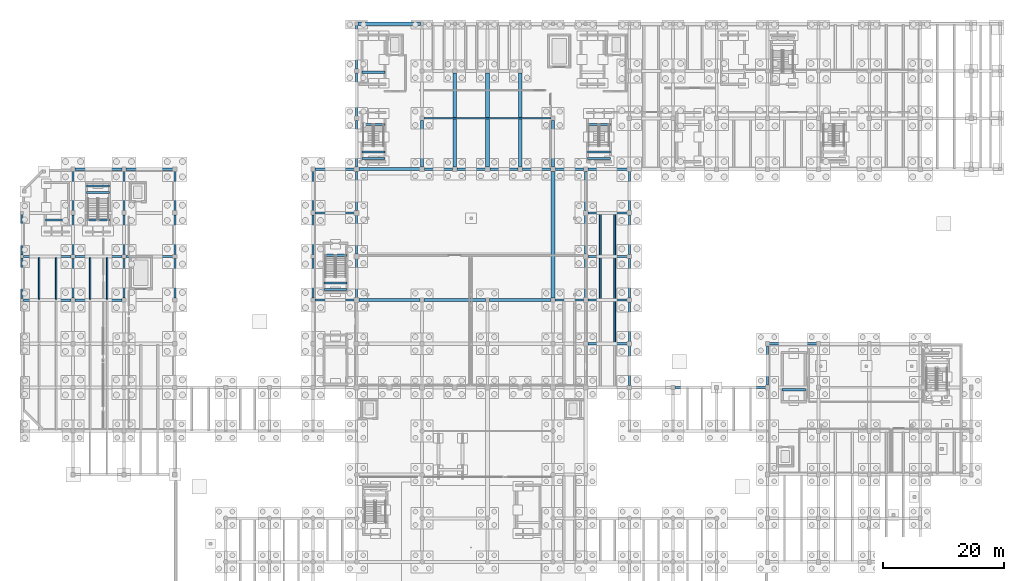
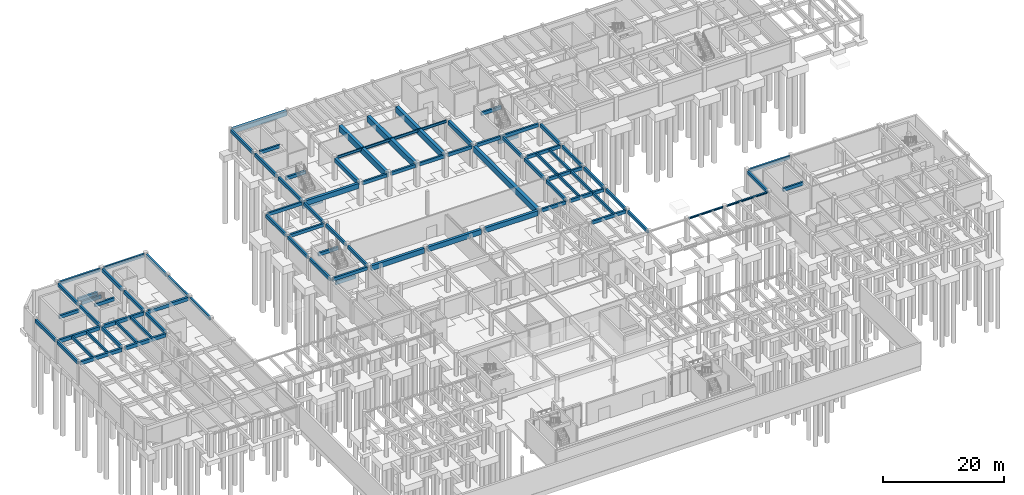
# One storey, part 21 of 46: 89 beams.
"""IFC4 building model written with IfcOpenShell, lengths in metres."""

from ifc_helpers import new_model, si_unit, direction, frame, origin, origin_2d, place, context, subcontext, project, spatial, rectangle, i_section, extrude, material, material_profile, profile_set, type_object, element, save


model = new_model("IFC4")

# Units and contexts
model_context = context("Model", 3, precision=1e-05, world=origin(), true_north=direction((0.0, 1.0)))
body_context = subcontext(model_context, "Body", "Model", "MODEL_VIEW")
ifc_project = project(units=[si_unit("LENGTHUNIT", "METRE"), si_unit("AREAUNIT", "SQUARE_METRE"), si_unit("VOLUMEUNIT", "CUBIC_METRE"), si_unit("PLANEANGLEUNIT", "RADIAN"), si_unit("MASSUNIT", "GRAM", prefix="KILO")], contexts=[model_context])

# Site, building, storey
site_placement = place(None, origin())
site = spatial("IfcSite", under=ifc_project, at=site_placement, CompositionType="ELEMENT")
building_placement = place(site_placement, origin())
building = spatial("IfcBuilding", under=site, at=building_placement, Name="Tazoul Stagehouse", CompositionType="ELEMENT")
storey_placement = place(building_placement, frame((0.0, 0.0, -4.800048828125)))
storey = spatial("IfcBuildingStorey", under=building, at=storey_placement, Name="B1", CompositionType="ELEMENT", Elevation=-4.800048828125)

# Beams
ifc_material_1 = material(Name="Concrete C40/50", Category="concrete")
ifc_material_profile_1 = material_profile(ifc_material_1, rectangle(XDim=0.60009765625, YDim=1.199951171875, at=origin_2d()), Name="RC 600x1200")
ifc_profile_set_1 = profile_set([ifc_material_profile_1], Name="Concrete C40/50")
beam_type_1 = type_object("IfcBeamType", Name="RC Long-Span Girder 600x1200", PredefinedType="BEAM", material=ifc_profile_set_1)
for number, where, z_axis, x_axis, name in (
    (1, (73.800048828125, 88.175048828125, 3.8779296875), (0.0, 1.0, 0.0), (-1.0, 0.0, 0.0), "B1 Beam BM-05 11/N-Q"),
    (2, (79.199951171875, 88.175048828125, 3.8779296875), (0.0, 1.0, 0.0), (-1.0, 0.0, 0.0), "B1 Beam BM-05 12/N-Q"),
    (3, (84.60009765625, 88.175048828125, 3.8779296875), (0.0, 1.0, 0.0), (-1.0, 0.0, 0.0), "B1 Beam BM-05 13/N-Q"),
):
    element("IfcBeam", number, at=place(storey_placement, frame(where, z_axis=z_axis, x_axis=x_axis)), inside=storey, type_object=beam_type_1, Name=name, PredefinedType="BEAM", context=body_context, shape_type="SweptSolid", body=[
        extrude(rectangle(XDim=0.60009765625, YDim=1.199951171875, at=origin_2d()), origin(), (0.0, 0.0, 1.0), 15.5),
    ])
beam_1_placement = place(storey_placement, frame((90.0, 66.52490234375, 3.8779296875), z_axis=(0.0, 1.0, 0.0), x_axis=(-1.0, 0.0, 0.0)))
element("IfcBeam", 4, at=beam_1_placement, inside=storey, type_object=beam_type_1, Name="B1 Beam BM-05 14/K-N", PredefinedType="BEAM", context=body_context, shape_type="SweptSolid", body=[
    extrude(rectangle(XDim=0.60009765625, YDim=1.199951171875, at=origin_2d()), origin(), (0.0, 0.0, 1.0), 20.900146484375),
])
ifc_material_profile_2 = material_profile(ifc_material_1, rectangle(XDim=0.35009765625, YDim=0.64990234375, at=origin_2d()), Name="RC 350x650")
ifc_profile_set_2 = profile_set([ifc_material_profile_2], Name="Concrete C40/50")
beam_type_2 = type_object("IfcBeamType", Name="RC Perimeter Spandrel 350x650 (Exterior)", PredefinedType="SPANDREL", material=ifc_profile_set_2)
beam_2_placement = place(storey_placement, frame((125.675048828125, 59.0, 4.193115234375), z_axis=(1.0, 0.0, 0.0), x_axis=(0.0, 1.0, 0.0)))
element("IfcBeam", 5, at=beam_2_placement, inside=storey, type_object=beam_type_2, Name="B1 Beam SP-01E J/19-20", PredefinedType="SPANDREL", context=body_context, shape_type="SweptSolid", body=[
    extrude(rectangle(XDim=0.35009765625, YDim=0.64990234375, at=origin_2d()), origin(), (0.0, 0.0, 1.0), 7.849853515625),
])
for number, where, z_axis, x_axis, name in (
    (6, (11.125, 87.800048828125, 4.213134765625), (1.0, 0.0, 0.0), (0.0, 1.0, 0.0), "B1 Beam SP-01E N/2-3"),
    (7, (19.52490234375, 87.800048828125, 4.213134765625), (1.0, 0.0, 0.0), (0.0, 1.0, 0.0), "B1 Beam SP-01E N/3-4"),
):
    element("IfcBeam", number, at=place(storey_placement, frame(where, z_axis=z_axis, x_axis=x_axis)), inside=storey, type_object=beam_type_2, Name=name, PredefinedType="SPANDREL", context=body_context, shape_type="SweptSolid", body=[
        extrude(rectangle(XDim=0.35009765625, YDim=0.64990234375, at=origin_2d()), origin(), (0.0, 0.0, 1.0), 7.75),
    ])
beam_3_placement = place(storey_placement, frame((50.72509765625, 87.800048828125, 4.153076171875), z_axis=(1.0, 0.0, 0.0), x_axis=(0.0, 1.0, 0.0)))
element("IfcBeam", 8, at=beam_3_placement, inside=storey, type_object=beam_type_2, Name="B1 Beam SP-01E N/7-8", PredefinedType="SPANDREL", context=body_context, shape_type="SweptSolid", body=[
    extrude(rectangle(XDim=0.35009765625, YDim=0.64990234375, at=origin_2d()), origin(), (0.0, 0.0, 1.0), 6.5),
])
for number, where, z_axis, x_axis, name in (
    (9, (2.39990234375, 66.425048828125, 4.213134765625), (0.0, 1.0, 0.0), (-1.0, 0.0, 0.0), "B1 Beam SP-01E 1/K-L"),
    (10, (2.39990234375, 73.625, 4.213134765625), (0.0, 1.0, 0.0), (-1.0, 0.0, 0.0), "B1 Beam SP-01E 1/L-M"),
):
    element("IfcBeam", number, at=place(storey_placement, frame(where, z_axis=z_axis, x_axis=x_axis)), inside=storey, type_object=beam_type_2, Name=name, PredefinedType="SPANDREL", context=body_context, shape_type="SweptSolid", body=[
        extrude(rectangle(XDim=0.35009765625, YDim=0.64990234375, at=origin_2d()), origin(), (0.0, 0.0, 1.0), 6.75),
    ])
beam_4_placement = place(storey_placement, frame((27.60009765625, 66.52490234375, 4.213134765625), z_axis=(0.0, 1.0, 0.0), x_axis=(-1.0, 0.0, 0.0)))
element("IfcBeam", 11, at=beam_4_placement, inside=storey, type_object=beam_type_2, Name="B1 Beam SP-01E 4/K-L", PredefinedType="SPANDREL", context=body_context, shape_type="SweptSolid", body=[
    extrude(rectangle(XDim=0.35009765625, YDim=0.64990234375, at=origin_2d()), origin(), (0.0, 0.0, 1.0), 6.550048828125),
])
beam_5_placement = place(storey_placement, frame((27.60009765625, 73.72509765625, 4.213134765625), z_axis=(0.0, 1.0, 0.0), x_axis=(-1.0, 0.0, 0.0)))
element("IfcBeam", 12, at=beam_5_placement, inside=storey, type_object=beam_type_2, Name="B1 Beam SP-01E 4/L-M", PredefinedType="SPANDREL", context=body_context, shape_type="SweptSolid", body=[
    extrude(rectangle(XDim=0.35009765625, YDim=0.64990234375, at=origin_2d()), origin(), (0.0, 0.0, 1.0), 6.5498046875),
])
for number, where, z_axis, x_axis, name in (
    (13, (27.60009765625, 80.925048828125, 4.213134765625), (0.0, 1.0, 0.0), (-1.0, 0.0, 0.0), "B1 Beam SP-01E 4/M-N"),
    (14, (50.39990234375, 66.52490234375, 4.193115234375), (0.0, 1.0, 0.0), (-1.0, 0.0, 0.0), "B1 Beam SP-01E 7/K-L"),
):
    element("IfcBeam", number, at=place(storey_placement, frame(where, z_axis=z_axis, x_axis=x_axis)), inside=storey, type_object=beam_type_2, Name=name, PredefinedType="SPANDREL", context=body_context, shape_type="SweptSolid", body=[
        extrude(rectangle(XDim=0.35009765625, YDim=0.64990234375, at=origin_2d()), origin(), (0.0, 0.0, 1.0), 6.550048828125),
    ])
beam_6_placement = place(storey_placement, frame((50.39990234375, 73.72509765625, 4.193115234375), z_axis=(0.0, 1.0, 0.0), x_axis=(-1.0, 0.0, 0.0)))
element("IfcBeam", 15, at=beam_6_placement, inside=storey, type_object=beam_type_2, Name="B1 Beam SP-01E 7/L-M", PredefinedType="SPANDREL", context=body_context, shape_type="SweptSolid", body=[
    extrude(rectangle(XDim=0.35009765625, YDim=0.64990234375, at=origin_2d()), origin(), (0.0, 0.0, 1.0), 6.5498046875),
])
beam_7_placement = place(storey_placement, frame((50.39990234375, 80.925048828125, 4.193115234375), z_axis=(0.0, 1.0, 0.0), x_axis=(-1.0, 0.0, 0.0)))
element("IfcBeam", 16, at=beam_7_placement, inside=storey, type_object=beam_type_2, Name="B1 Beam SP-01E 7/M-N", PredefinedType="SPANDREL", context=body_context, shape_type="SweptSolid", body=[
    extrude(rectangle(XDim=0.35009765625, YDim=0.64990234375, at=origin_2d()), origin(), (0.0, 0.0, 1.0), 6.550048828125),
])
beam_8_placement = place(storey_placement, frame((57.60009765625, 88.175048828125, 4.153076171875), z_axis=(0.0, 1.0, 0.0), x_axis=(-1.0, 0.0, 0.0)))
element("IfcBeam", 17, at=beam_8_placement, inside=storey, type_object=beam_type_2, Name="B1 Beam SP-01E 8/N-P", PredefinedType="SPANDREL", context=body_context, shape_type="SweptSolid", body=[
    extrude(rectangle(XDim=0.35009765625, YDim=0.64990234375, at=origin_2d()), origin(), (0.0, 0.0, 1.0), 7.699951171875),
])
beam_9_placement = place(storey_placement, frame((57.60009765625, 96.52490234375, 4.153076171875), z_axis=(0.0, 1.0, 0.0), x_axis=(-1.0, 0.0, 0.0)))
element("IfcBeam", 18, at=beam_9_placement, inside=storey, type_object=beam_type_2, Name="B1 Beam SP-01E 8/P-Q", PredefinedType="SPANDREL", context=body_context, shape_type="SweptSolid", body=[
    extrude(rectangle(XDim=0.35009765625, YDim=0.64990234375, at=origin_2d()), origin(), (0.0, 0.0, 1.0), 7.150146484375),
])
beam_10_placement = place(storey_placement, frame((57.60009765625, 104.324951171875, 4.153076171875), z_axis=(0.0, 1.0, 0.0), x_axis=(-1.0, 0.0, 0.0)))
element("IfcBeam", 19, at=beam_10_placement, inside=storey, type_object=beam_type_2, Name="B1 Beam SP-01E 8/Q-R", PredefinedType="SPANDREL", context=body_context, shape_type="SweptSolid", body=[
    extrude(rectangle(XDim=0.35009765625, YDim=0.64990234375, at=origin_2d()), origin(), (0.0, 0.0, 1.0), 7.25),
])
for number, where, z_axis, x_axis, name in (
    (20, (102.60009765625, 52.125, 4.193115234375), (0.0, 1.0, 0.0), (-1.0, 0.0, 0.0), "B1 Beam SP-01E 16/H-J"),
    (21, (102.60009765625, 59.324951171875, 4.193115234375), (0.0, 1.0, 0.0), (-1.0, 0.0, 0.0), "B1 Beam SP-01E 16/J-K"),
    (22, (102.60009765625, 66.52490234375, 4.193115234375), (0.0, 1.0, 0.0), (-1.0, 0.0, 0.0), "B1 Beam SP-01E 16/K-L"),
):
    element("IfcBeam", number, at=place(storey_placement, frame(where, z_axis=z_axis, x_axis=x_axis)), inside=storey, type_object=beam_type_2, Name=name, PredefinedType="SPANDREL", context=body_context, shape_type="SweptSolid", body=[
        extrude(rectangle(XDim=0.35009765625, YDim=0.64990234375, at=origin_2d()), origin(), (0.0, 0.0, 1.0), 6.550048828125),
    ])
beam_11_placement = place(storey_placement, frame((102.60009765625, 73.72509765625, 4.193115234375), z_axis=(0.0, 1.0, 0.0), x_axis=(-1.0, 0.0, 0.0)))
element("IfcBeam", 23, at=beam_11_placement, inside=storey, type_object=beam_type_2, Name="B1 Beam SP-01E 16/L-M", PredefinedType="SPANDREL", context=body_context, shape_type="SweptSolid", body=[
    extrude(rectangle(XDim=0.35009765625, YDim=0.64990234375, at=origin_2d()), origin(), (0.0, 0.0, 1.0), 6.5498046875),
])
beam_12_placement = place(storey_placement, frame((102.60009765625, 80.925048828125, 4.153076171875), z_axis=(0.0, 1.0, 0.0), x_axis=(-1.0, 0.0, 0.0)))
element("IfcBeam", 24, at=beam_12_placement, inside=storey, type_object=beam_type_2, Name="B1 Beam SP-01E 16/M-N", PredefinedType="SPANDREL", context=body_context, shape_type="SweptSolid", body=[
    extrude(rectangle(XDim=0.35009765625, YDim=0.64990234375, at=origin_2d()), origin(), (0.0, 0.0, 1.0), 6.550048828125),
])
beam_13_placement = place(storey_placement, frame((125.39990234375, 52.175048828125, 4.193115234375), z_axis=(0.0, 1.0, 0.0), x_axis=(-1.0, 0.0, 0.0)))
element("IfcBeam", 25, at=beam_13_placement, inside=storey, type_object=beam_type_2, Name="B1 Beam SP-01E 19/H-J", PredefinedType="SPANDREL", context=body_context, shape_type="SweptSolid", body=[
    extrude(rectangle(XDim=0.35009765625, YDim=0.64990234375, at=origin_2d()), origin(), (0.0, 0.0, 1.0), 6.449951171875),
])
ifc_material_profile_3 = material_profile(ifc_material_1, rectangle(XDim=0.35009765625, YDim=0.64990234375, at=origin_2d()), Name="RC 350x650")
ifc_profile_set_3 = profile_set([ifc_material_profile_3], Name="Concrete C40/50")
beam_type_3 = type_object("IfcBeamType", Name="RC Primary Girder 350x650", PredefinedType="BEAM", material=ifc_profile_set_3)
for number, where, z_axis, x_axis, name in (
    (26, (95.77490234375, 59.0, 4.193115234375), (1.0, 0.0, 0.0), (0.0, 1.0, 0.0), "B1 Beam BM-01 J/15-16"),
    (27, (50.72509765625, 66.199951171875, 4.193115234375), (1.0, 0.0, 0.0), (0.0, 1.0, 0.0), "B1 Beam BM-01 K/7-8"),
):
    element("IfcBeam", number, at=place(storey_placement, frame(where, z_axis=z_axis, x_axis=x_axis)), inside=storey, type_object=beam_type_3, Name=name, PredefinedType="BEAM", context=body_context, shape_type="SweptSolid", body=[
        extrude(rectangle(XDim=0.35009765625, YDim=0.64990234375, at=origin_2d()), origin(), (0.0, 0.0, 1.0), 6.5),
    ])
beam_14_placement = place(storey_placement, frame((90.324951171875, 66.199951171875, 4.193115234375), z_axis=(1.0, 0.0, 0.0), x_axis=(0.0, 1.0, 0.0)))
element("IfcBeam", 28, at=beam_14_placement, inside=storey, type_object=beam_type_3, Name="B1 Beam BM-01 K/14-15", PredefinedType="BEAM", context=body_context, shape_type="SweptSolid", body=[
    extrude(rectangle(XDim=0.35009765625, YDim=0.64990234375, at=origin_2d()), origin(), (0.0, 0.0, 1.0), 4.699951171875),
])
for number, where, z_axis, x_axis, name in (
    (29, (95.77490234375, 66.199951171875, 4.193115234375), (1.0, 0.0, 0.0), (0.0, 1.0, 0.0), "B1 Beam BM-01 K/15-16"),
    (30, (95.77490234375, 73.39990234375, 4.193115234375), (1.0, 0.0, 0.0), (0.0, 1.0, 0.0), "B1 Beam BM-01 L/15-16"),
    (31, (50.72509765625, 80.60009765625, 4.193115234375), (1.0, 0.0, 0.0), (0.0, 1.0, 0.0), "B1 Beam BM-01 M/7-8"),
    (32, (95.77490234375, 80.60009765625, 4.193115234375), (1.0, 0.0, 0.0), (0.0, 1.0, 0.0), "B1 Beam BM-01 M/15-16"),
):
    element("IfcBeam", number, at=place(storey_placement, frame(where, z_axis=z_axis, x_axis=x_axis)), inside=storey, type_object=beam_type_3, Name=name, PredefinedType="BEAM", context=body_context, shape_type="SweptSolid", body=[
        extrude(rectangle(XDim=0.35009765625, YDim=0.64990234375, at=origin_2d()), origin(), (0.0, 0.0, 1.0), 6.5),
    ])
beam_15_placement = place(storey_placement, frame((68.77490234375, 87.800048828125, 4.153076171875), z_axis=(1.0, 0.0, 0.0), x_axis=(0.0, 1.0, 0.0)))
element("IfcBeam", 33, at=beam_15_placement, inside=storey, type_object=beam_type_3, Name="B1 Beam BM-01 N/10-11", PredefinedType="BEAM", context=body_context, shape_type="SweptSolid", body=[
    extrude(rectangle(XDim=0.35009765625, YDim=0.64990234375, at=origin_2d()), origin(), (0.0, 0.0, 1.0), 4.650146484375),
])
beam_16_placement = place(storey_placement, frame((74.175048828125, 87.800048828125, 4.153076171875), z_axis=(1.0, 0.0, 0.0), x_axis=(0.0, 1.0, 0.0)))
element("IfcBeam", 34, at=beam_16_placement, inside=storey, type_object=beam_type_3, Name="B1 Beam BM-01 N/11-12", PredefinedType="BEAM", context=body_context, shape_type="SweptSolid", body=[
    extrude(rectangle(XDim=0.35009765625, YDim=0.64990234375, at=origin_2d()), origin(), (0.0, 0.0, 1.0), 4.64990234375),
])
beam_17_placement = place(storey_placement, frame((79.574951171875, 87.800048828125, 4.153076171875), z_axis=(1.0, 0.0, 0.0), x_axis=(0.0, 1.0, 0.0)))
element("IfcBeam", 35, at=beam_17_placement, inside=storey, type_object=beam_type_3, Name="B1 Beam BM-01 N/12-13", PredefinedType="BEAM", context=body_context, shape_type="SweptSolid", body=[
    extrude(rectangle(XDim=0.35009765625, YDim=0.64990234375, at=origin_2d()), origin(), (0.0, 0.0, 1.0), 4.650146484375),
])
for number, where, z_axis, x_axis, name in (
    (36, (84.97509765625, 87.800048828125, 4.153076171875), (1.0, 0.0, 0.0), (0.0, 1.0, 0.0), "B1 Beam BM-01 N/13-14"),
    (37, (90.375, 87.800048828125, 4.153076171875), (1.0, 0.0, 0.0), (0.0, 1.0, 0.0), "B1 Beam BM-01 N/14-15"),
):
    element("IfcBeam", number, at=place(storey_placement, frame(where, z_axis=z_axis, x_axis=x_axis)), inside=storey, type_object=beam_type_3, Name=name, PredefinedType="BEAM", context=body_context, shape_type="SweptSolid", body=[
        extrude(rectangle(XDim=0.35009765625, YDim=0.64990234375, at=origin_2d()), origin(), (0.0, 0.0, 1.0), 4.64990234375),
    ])
beam_18_placement = place(storey_placement, frame((95.77490234375, 87.800048828125, 4.153076171875), z_axis=(1.0, 0.0, 0.0), x_axis=(0.0, 1.0, 0.0)))
element("IfcBeam", 38, at=beam_18_placement, inside=storey, type_object=beam_type_3, Name="B1 Beam BM-01 N/15-16", PredefinedType="BEAM", context=body_context, shape_type="SweptSolid", body=[
    extrude(rectangle(XDim=0.35009765625, YDim=0.64990234375, at=origin_2d()), origin(), (0.0, 0.0, 1.0), 6.5),
])
beam_19_placement = place(storey_placement, frame((10.800048828125, 66.52490234375, 4.213134765625), z_axis=(0.0, 1.0, 0.0), x_axis=(-1.0, 0.0, 0.0)))
element("IfcBeam", 39, at=beam_19_placement, inside=storey, type_object=beam_type_3, Name="B1 Beam BM-01 2/K-L", PredefinedType="BEAM", context=body_context, shape_type="SweptSolid", body=[
    extrude(rectangle(XDim=0.35009765625, YDim=0.64990234375, at=origin_2d()), origin(), (0.0, 0.0, 1.0), 6.550048828125),
])
beam_20_placement = place(storey_placement, frame((10.800048828125, 73.72509765625, 4.213134765625), z_axis=(0.0, 1.0, 0.0), x_axis=(-1.0, 0.0, 0.0)))
element("IfcBeam", 40, at=beam_20_placement, inside=storey, type_object=beam_type_3, Name="B1 Beam BM-01 2/L-M", PredefinedType="BEAM", context=body_context, shape_type="SweptSolid", body=[
    extrude(rectangle(XDim=0.35009765625, YDim=0.64990234375, at=origin_2d()), origin(), (0.0, 0.0, 1.0), 6.5498046875),
])
for number, where, z_axis, x_axis, name in (
    (41, (10.800048828125, 80.925048828125, 4.213134765625), (0.0, 1.0, 0.0), (-1.0, 0.0, 0.0), "B1 Beam BM-01 2/M-N"),
    (42, (19.199951171875, 66.52490234375, 4.213134765625), (0.0, 1.0, 0.0), (-1.0, 0.0, 0.0), "B1 Beam BM-01 3/K-L"),
):
    element("IfcBeam", number, at=place(storey_placement, frame(where, z_axis=z_axis, x_axis=x_axis)), inside=storey, type_object=beam_type_3, Name=name, PredefinedType="BEAM", context=body_context, shape_type="SweptSolid", body=[
        extrude(rectangle(XDim=0.35009765625, YDim=0.64990234375, at=origin_2d()), origin(), (0.0, 0.0, 1.0), 6.550048828125),
    ])
beam_21_placement = place(storey_placement, frame((19.199951171875, 73.72509765625, 4.213134765625), z_axis=(0.0, 1.0, 0.0), x_axis=(-1.0, 0.0, 0.0)))
element("IfcBeam", 43, at=beam_21_placement, inside=storey, type_object=beam_type_3, Name="B1 Beam BM-01 3/L-M", PredefinedType="BEAM", context=body_context, shape_type="SweptSolid", body=[
    extrude(rectangle(XDim=0.35009765625, YDim=0.64990234375, at=origin_2d()), origin(), (0.0, 0.0, 1.0), 6.5498046875),
])
beam_22_placement = place(storey_placement, frame((19.199951171875, 80.925048828125, 4.213134765625), z_axis=(0.0, 1.0, 0.0), x_axis=(-1.0, 0.0, 0.0)))
element("IfcBeam", 44, at=beam_22_placement, inside=storey, type_object=beam_type_3, Name="B1 Beam BM-01 3/M-N", PredefinedType="BEAM", context=body_context, shape_type="SweptSolid", body=[
    extrude(rectangle(XDim=0.35009765625, YDim=0.64990234375, at=origin_2d()), origin(), (0.0, 0.0, 1.0), 6.550048828125),
])
beam_23_placement = place(storey_placement, frame((57.60009765625, 66.574951171875, 4.193115234375), z_axis=(0.0, 1.0, 0.0), x_axis=(-1.0, 0.0, 0.0)))
element("IfcBeam", 45, at=beam_23_placement, inside=storey, type_object=beam_type_3, Name="B1 Beam BM-01 8/K-L", PredefinedType="BEAM", context=body_context, shape_type="SweptSolid", body=[
    extrude(rectangle(XDim=0.35009765625, YDim=0.64990234375, at=origin_2d()), origin(), (0.0, 0.0, 1.0), 6.449951171875),
])
beam_24_placement = place(storey_placement, frame((57.60009765625, 73.77490234375, 4.193115234375), z_axis=(0.0, 1.0, 0.0), x_axis=(-1.0, 0.0, 0.0)))
element("IfcBeam", 46, at=beam_24_placement, inside=storey, type_object=beam_type_3, Name="B1 Beam BM-01 8/L-M", PredefinedType="BEAM", context=body_context, shape_type="SweptSolid", body=[
    extrude(rectangle(XDim=0.35009765625, YDim=0.64990234375, at=origin_2d()), origin(), (0.0, 0.0, 1.0), 6.4501953125),
])
for number, where, z_axis, x_axis, name in (
    (47, (57.60009765625, 80.97509765625, 4.153076171875), (0.0, 1.0, 0.0), (-1.0, 0.0, 0.0), "B1 Beam BM-01 8/M-N"),
    (48, (95.39990234375, 66.574951171875, 4.193115234375), (0.0, 1.0, 0.0), (-1.0, 0.0, 0.0), "B1 Beam BM-01 15/K-L"),
):
    element("IfcBeam", number, at=place(storey_placement, frame(where, z_axis=z_axis, x_axis=x_axis)), inside=storey, type_object=beam_type_3, Name=name, PredefinedType="BEAM", context=body_context, shape_type="SweptSolid", body=[
        extrude(rectangle(XDim=0.35009765625, YDim=0.64990234375, at=origin_2d()), origin(), (0.0, 0.0, 1.0), 6.449951171875),
    ])
beam_25_placement = place(storey_placement, frame((95.39990234375, 73.77490234375, 4.193115234375), z_axis=(0.0, 1.0, 0.0), x_axis=(-1.0, 0.0, 0.0)))
element("IfcBeam", 49, at=beam_25_placement, inside=storey, type_object=beam_type_3, Name="B1 Beam BM-01 15/L-M", PredefinedType="BEAM", context=body_context, shape_type="SweptSolid", body=[
    extrude(rectangle(XDim=0.35009765625, YDim=0.64990234375, at=origin_2d()), origin(), (0.0, 0.0, 1.0), 6.4501953125),
])
beam_26_placement = place(storey_placement, frame((95.39990234375, 80.97509765625, 4.153076171875), z_axis=(0.0, 1.0, 0.0), x_axis=(-1.0, 0.0, 0.0)))
element("IfcBeam", 50, at=beam_26_placement, inside=storey, type_object=beam_type_3, Name="B1 Beam BM-01 15/M-N", PredefinedType="BEAM", context=body_context, shape_type="SweptSolid", body=[
    extrude(rectangle(XDim=0.35009765625, YDim=0.64990234375, at=origin_2d()), origin(), (0.0, 0.0, 1.0), 6.449951171875),
])
for number, where, z_axis, x_axis, name in (
    (51, (95.669921875, 89.550048828125, 1.880126953125), (1.0, 0.0, 0.0), (0.0, 1.0, 0.0), "B1 Stair Half-Landing Trimmer BM-01 (ST-B1-1)"),
    (52, (95.669921875, 90.64990234375, 1.880126953125), (1.0, 0.0, 0.0), (0.0, 1.0, 0.0), "B1 Stair Half-Landing Trimmer BM-01 (ST-B1-2)"),
    (53, (95.669921875, 95.199951171875, 4.195068359375), (1.0, 0.0, 0.0), (0.0, 1.0, 0.0), "B1 Stair Landing Trimmer BM-01 (ST-B1-FL)"),
    (54, (58.469970703125, 103.800048828125, 4.195068359375), (1.0, 0.0, 0.0), (0.0, 1.0, 0.0), "B1 Stair Base Departure Trimmer BM-01 (ST-03-FL0)"),
    (55, (58.469970703125, 89.550048828125, 1.880126953125), (1.0, 0.0, 0.0), (0.0, 1.0, 0.0), "B1 Stair Half-Landing Trimmer BM-01 (ST-B3-1)"),
    (56, (58.469970703125, 90.64990234375, 1.880126953125), (1.0, 0.0, 0.0), (0.0, 1.0, 0.0), "B1 Stair Half-Landing Trimmer BM-01 (ST-B3-2)"),
    (57, (58.469970703125, 95.199951171875, 4.195068359375), (1.0, 0.0, 0.0), (0.0, 1.0, 0.0), "B1 Stair Landing Trimmer BM-01 (ST-B3-FL)"),
    (58, (52.219970703125, 67.949951171875, 1.880126953125), (1.0, 0.0, 0.0), (0.0, 1.0, 0.0), "B1 Stair Half-Landing Trimmer BM-01 (ST-B5-1)"),
    (59, (52.219970703125, 69.050048828125, 1.880126953125), (1.0, 0.0, 0.0), (0.0, 1.0, 0.0), "B1 Stair Half-Landing Trimmer BM-01 (ST-B5-2)"),
    (60, (52.219970703125, 73.60009765625, 4.195068359375), (1.0, 0.0, 0.0), (0.0, 1.0, 0.0), "B1 Stair Landing Trimmer BM-01 (ST-B5-FL)"),
    (61, (6.219970703125, 79.39990234375, 4.195068359375), (1.0, 0.0, 0.0), (0.0, 1.0, 0.0), "B1 Stair Base Departure Trimmer BM-01 (ST-06-FL0)"),
    (62, (13.02001953125, 83.949951171875, 1.880126953125), (1.0, 0.0, 0.0), (0.0, 1.0, 0.0), "B1 Stair Half-Landing Trimmer BM-01 (ST-B6-1)"),
    (63, (13.02001953125, 85.050048828125, 1.880126953125), (1.0, 0.0, 0.0), (0.0, 1.0, 0.0), "B1 Stair Half-Landing Trimmer BM-01 (ST-B6-2)"),
    (64, (13.02001953125, 79.39990234375, 4.195068359375), (1.0, 0.0, 0.0), (0.0, 1.0, 0.0), "B1 Stair Landing Trimmer BM-01 (ST-B6-FL)"),
):
    element("IfcBeam", number, at=place(storey_placement, frame(where, z_axis=z_axis, x_axis=x_axis)), inside=storey, type_object=beam_type_3, Name=name, PredefinedType="BEAM", context=body_context, shape_type="SweptSolid", body=[
        extrude(rectangle(XDim=0.35009765625, YDim=0.64990234375, at=origin_2d()), origin(), (0.0, 0.0, 1.0), 3.81005859375),
    ])
beam_27_placement = place(storey_placement, frame((127.820068359375, 51.39990234375, 4.195068359375), z_axis=(1.0, 0.0, 0.0), x_axis=(0.0, 1.0, 0.0)))
element("IfcBeam", 65, at=beam_27_placement, inside=storey, type_object=beam_type_3, Name="B1 Stair Base Departure Trimmer BM-01 (ST-07-FL0)", PredefinedType="BEAM", context=body_context, shape_type="SweptSolid", body=[
    extrude(rectangle(XDim=0.35009765625, YDim=0.64990234375, at=origin_2d()), origin(), (0.0, 0.0, 1.0), 3.809814453125),
])
ifc_material_profile_4 = material_profile(ifc_material_1, rectangle(XDim=0.39990234375, YDim=0.699951171875, at=origin_2d()), Name="RC 400x700")
ifc_profile_set_4 = profile_set([ifc_material_profile_4], Name="Concrete C40/50")
beam_type_4 = type_object("IfcBeamType", Name="RC Primary Girder 400x700", PredefinedType="BEAM", material=ifc_profile_set_4)
beam_28_placement = place(storey_placement, frame((2.625, 66.199951171875, 4.18798828125), z_axis=(1.0, 0.0, 0.0), x_axis=(0.0, 1.0, 0.0)))
element("IfcBeam", 66, at=beam_28_placement, inside=storey, type_object=beam_type_4, Name="B1 Beam BM-02 K/1-2", PredefinedType="BEAM", context=body_context, shape_type="SweptSolid", body=[
    extrude(rectangle(XDim=0.39990234375, YDim=0.699951171875, at=origin_2d()), origin(), (0.0, 0.0, 1.0), 7.85009765625),
])
beam_29_placement = place(storey_placement, frame((11.125, 66.199951171875, 4.18798828125), z_axis=(1.0, 0.0, 0.0), x_axis=(0.0, 1.0, 0.0)))
element("IfcBeam", 67, at=beam_29_placement, inside=storey, type_object=beam_type_4, Name="B1 Beam BM-02 K/2-3", PredefinedType="BEAM", context=body_context, shape_type="SweptSolid", body=[
    extrude(rectangle(XDim=0.39990234375, YDim=0.699951171875, at=origin_2d()), origin(), (0.0, 0.0, 1.0), 7.75),
])
beam_30_placement = place(storey_placement, frame((2.625, 73.39990234375, 4.18798828125), z_axis=(1.0, 0.0, 0.0), x_axis=(0.0, 1.0, 0.0)))
element("IfcBeam", 68, at=beam_30_placement, inside=storey, type_object=beam_type_4, Name="B1 Beam BM-02 L/1-2", PredefinedType="BEAM", context=body_context, shape_type="SweptSolid", body=[
    extrude(rectangle(XDim=0.39990234375, YDim=0.699951171875, at=origin_2d()), origin(), (0.0, 0.0, 1.0), 7.85009765625),
])
for number, where, z_axis, x_axis, name in (
    (69, (11.125, 73.39990234375, 4.18798828125), (1.0, 0.0, 0.0), (0.0, 1.0, 0.0), "B1 Beam BM-02 L/2-3"),
    (70, (19.52490234375, 73.39990234375, 4.18798828125), (1.0, 0.0, 0.0), (0.0, 1.0, 0.0), "B1 Beam BM-02 L/3-4"),
):
    element("IfcBeam", number, at=place(storey_placement, frame(where, z_axis=z_axis, x_axis=x_axis)), inside=storey, type_object=beam_type_4, Name=name, PredefinedType="BEAM", context=body_context, shape_type="SweptSolid", body=[
        extrude(rectangle(XDim=0.39990234375, YDim=0.699951171875, at=origin_2d()), origin(), (0.0, 0.0, 1.0), 7.75),
    ])
ifc_material_profile_5 = material_profile(ifc_material_1, rectangle(XDim=0.449951171875, YDim=0.85009765625, at=origin_2d()), Name="RC 450x850")
ifc_profile_set_5 = profile_set([ifc_material_profile_5], Name="Concrete C40/50")
beam_type_5 = type_object("IfcBeamType", Name="RC Primary Girder 450x850", PredefinedType="BEAM", material=ifc_profile_set_5)
for number, where, z_axis, x_axis, name in (
    (71, (68.39990234375, 88.175048828125, 4.052978515625), (0.0, 1.0, 0.0), (-1.0, 0.0, 0.0), "B1 Beam BM-03 10/N-P"),
    (72, (90.0, 88.175048828125, 4.052978515625), (0.0, 1.0, 0.0), (-1.0, 0.0, 0.0), "B1 Beam BM-03 14/N-P"),
):
    element("IfcBeam", number, at=place(storey_placement, frame(where, z_axis=z_axis, x_axis=x_axis)), inside=storey, type_object=beam_type_5, Name=name, PredefinedType="BEAM", context=body_context, shape_type="SweptSolid", body=[
        extrude(rectangle(XDim=0.449951171875, YDim=0.85009765625, at=origin_2d()), origin(), (0.0, 0.0, 1.0), 7.699951171875),
    ])
ifc_material_2 = material(Name="Concrete C35/45", Category="concrete")
ifc_material_profile_6 = material_profile(ifc_material_2, rectangle(XDim=0.300048828125, YDim=0.550048828125, at=origin_2d()), Name="RC 300x550")
ifc_profile_set_6 = profile_set([ifc_material_profile_6], Name="Concrete C35/45")
beam_type_6 = type_object("IfcBeamType", Name="RC Rib Joist 300x550", PredefinedType="JOIST", material=ifc_profile_set_6)
beam_31_placement = place(storey_placement, frame((100.199951171875, 59.14990234375, 4.2431640625), z_axis=(0.0, 1.0, 0.0), x_axis=(-1.0, 0.0, 0.0)))
element("IfcBeam", 73, at=beam_31_placement, inside=storey, type_object=beam_type_6, Name="B1 Joist JS-06 15/J-2", PredefinedType="JOIST", context=body_context, shape_type="SweptSolid", body=[
    extrude(rectangle(XDim=0.300048828125, YDim=0.550048828125, at=origin_2d()), origin(), (0.0, 0.0, 1.0), 6.900146484375),
])
for number, where, z_axis, x_axis, name in (
    (74, (5.199951171875, 66.375, 4.262939453125), (0.0, 1.0, 0.0), (-1.0, 0.0, 0.0), "B1 Joist JS-06 1/K-1"),
    (75, (8.0, 66.375, 4.262939453125), (0.0, 1.0, 0.0), (-1.0, 0.0, 0.0), "B1 Joist JS-06 1/K-2"),
    (76, (13.60009765625, 66.375, 4.262939453125), (0.0, 1.0, 0.0), (-1.0, 0.0, 0.0), "B1 Joist JS-06 2/K-1"),
    (77, (16.39990234375, 66.375, 4.262939453125), (0.0, 1.0, 0.0), (-1.0, 0.0, 0.0), "B1 Joist JS-06 2/K-2"),
):
    element("IfcBeam", number, at=place(storey_placement, frame(where, z_axis=z_axis, x_axis=x_axis)), inside=storey, type_object=beam_type_6, Name=name, PredefinedType="JOIST", context=body_context, shape_type="SweptSolid", body=[
        extrude(rectangle(XDim=0.300048828125, YDim=0.550048828125, at=origin_2d()), origin(), (0.0, 0.0, 1.0), 6.85009765625),
    ])
for number, where, z_axis, x_axis, name in (
    (78, (97.800048828125, 66.35009765625, 4.2431640625), (0.0, 1.0, 0.0), (-1.0, 0.0, 0.0), "B1 Joist JS-06 15/K-1"),
    (79, (100.199951171875, 66.35009765625, 4.2431640625), (0.0, 1.0, 0.0), (-1.0, 0.0, 0.0), "B1 Joist JS-06 15/K-2"),
    (80, (97.800048828125, 73.550048828125, 4.2431640625), (0.0, 1.0, 0.0), (-1.0, 0.0, 0.0), "B1 Joist JS-06 15/L-1"),
    (81, (100.199951171875, 73.550048828125, 4.2431640625), (0.0, 1.0, 0.0), (-1.0, 0.0, 0.0), "B1 Joist JS-06 15/L-2"),
):
    element("IfcBeam", number, at=place(storey_placement, frame(where, z_axis=z_axis, x_axis=x_axis)), inside=storey, type_object=beam_type_6, Name=name, PredefinedType="JOIST", context=body_context, shape_type="SweptSolid", body=[
        extrude(rectangle(XDim=0.300048828125, YDim=0.550048828125, at=origin_2d()), origin(), (0.0, 0.0, 1.0), 6.89990234375),
    ])
ifc_material_profile_7 = material_profile(ifc_material_1, rectangle(XDim=0.5, YDim=1.0, at=origin_2d()), Name="RC 500x1000")
ifc_profile_set_7 = profile_set([ifc_material_profile_7], Name="Concrete C40/50")
beam_type_7 = type_object("IfcBeamType", Name="RC Transfer Girder 500x1000", PredefinedType="BEAM", material=ifc_profile_set_7)
beam_32_placement = place(storey_placement, frame((57.97509765625, 66.199951171875, 4.01806640625), z_axis=(1.0, 0.0, 0.0), x_axis=(0.0, 1.0, 0.0)))
element("IfcBeam", 82, at=beam_32_placement, inside=storey, type_object=beam_type_7, Name="B1 Beam BM-04 K/8-10", PredefinedType="BEAM", context=body_context, shape_type="SweptSolid", body=[
    extrude(rectangle(XDim=0.5, YDim=1.0, at=origin_2d()), origin(), (0.0, 0.0, 1.0), 10.099853515625),
])
beam_33_placement = place(storey_placement, frame((68.72509765625, 66.199951171875, 4.01806640625), z_axis=(1.0, 0.0, 0.0), x_axis=(0.0, 1.0, 0.0)))
element("IfcBeam", 83, at=beam_33_placement, inside=storey, type_object=beam_type_7, Name="B1 Beam BM-04 K/10-12", PredefinedType="BEAM", context=body_context, shape_type="SweptSolid", body=[
    extrude(rectangle(XDim=0.5, YDim=1.0, at=origin_2d()), origin(), (0.0, 0.0, 1.0), 10.14990234375),
])
beam_34_placement = place(storey_placement, frame((79.52490234375, 66.199951171875, 4.01806640625), z_axis=(1.0, 0.0, 0.0), x_axis=(0.0, 1.0, 0.0)))
element("IfcBeam", 84, at=beam_34_placement, inside=storey, type_object=beam_type_7, Name="B1 Beam BM-04 K/12-14", PredefinedType="BEAM", context=body_context, shape_type="SweptSolid", body=[
    extrude(rectangle(XDim=0.5, YDim=1.0, at=origin_2d()), origin(), (0.0, 0.0, 1.0), 10.150146484375),
])
beam_35_placement = place(storey_placement, frame((57.97509765625, 87.800048828125, 3.97802734375), z_axis=(1.0, 0.0, 0.0), x_axis=(0.0, 1.0, 0.0)))
element("IfcBeam", 85, at=beam_35_placement, inside=storey, type_object=beam_type_7, Name="B1 Beam BM-04 N/8-10", PredefinedType="BEAM", context=body_context, shape_type="SweptSolid", body=[
    extrude(rectangle(XDim=0.5, YDim=1.0, at=origin_2d()), origin(), (0.0, 0.0, 1.0), 10.0498046875),
])
ifc_material_profile_8 = material_profile(ifc_material_1, rectangle(XDim=0.5, YDim=1.0, at=origin_2d()), Name="RC 500x1000")
ifc_profile_set_8 = profile_set([ifc_material_profile_8], Name="Concrete C40/50")
beam_type_8 = type_object("IfcBeamType", Name="RC Transfer Girder 500x1000 (Exterior)", PredefinedType="BEAM", material=ifc_profile_set_8)
beam_36_placement = place(storey_placement, frame((57.824951171875, 111.800048828125, 3.97802734375), z_axis=(1.0, 0.0, 0.0), x_axis=(0.0, 1.0, 0.0)))
element("IfcBeam", 86, at=beam_36_placement, inside=storey, type_object=beam_type_8, Name="B1 Beam BM-04E R/8-10", PredefinedType="BEAM", context=body_context, shape_type="SweptSolid", body=[
    extrude(rectangle(XDim=0.5, YDim=1.0, at=origin_2d()), origin(), (0.0, 0.0, 1.0), 10.35009765625),
])
ifc_material_3 = material(Name="Steel S355", Category="steel")
ifc_material_profile_9 = material_profile(ifc_material_3, i_section(OverallWidth=0.300048828125, OverallDepth=0.2900390625, WebThickness=0.008544921875, FlangeThickness=0.013916015625, FilletRadius=0.027099609375, at=origin_2d()), Name="HEA 300")
ifc_profile_set_9 = profile_set([ifc_material_profile_9], Name="Steel S355")
beam_type_9 = type_object("IfcBeamType", Name="Steel Crescent Spandrel HEA 300 (Exterior)", PredefinedType="SPANDREL", material=ifc_profile_set_9)
beam_37_placement = place(storey_placement, frame((110.125, 51.800048828125, 4.39306640625), z_axis=(1.0, 0.0, 0.0), x_axis=(0.0, 1.0, 0.0)))
element("IfcBeam", 87, at=beam_37_placement, inside=storey, type_object=beam_type_9, Name="B1 Beam SP-03E H/17-18", PredefinedType="SPANDREL", context=body_context, shape_type="SweptSolid", body=[
    extrude(i_section(OverallWidth=0.300048828125, OverallDepth=0.2900390625, WebThickness=0.008544921875, FlangeThickness=0.013916015625, FilletRadius=0.027099609375, at=origin_2d()), origin(), (0.0, 0.0, 1.0), 6.550048828125),
])
beam_38_placement = place(storey_placement, frame((117.324951171875, 51.800048828125, 4.373046875), z_axis=(1.0, 0.0, 0.0), x_axis=(0.0, 1.0, 0.0)))
element("IfcBeam", 88, at=beam_38_placement, inside=storey, type_object=beam_type_9, Name="B1 Beam SP-03E H/18-19", PredefinedType="SPANDREL", context=body_context, shape_type="SweptSolid", body=[
    extrude(i_section(OverallWidth=0.300048828125, OverallDepth=0.2900390625, WebThickness=0.008544921875, FlangeThickness=0.013916015625, FilletRadius=0.027099609375, at=origin_2d()), origin(), (0.0, 0.0, 1.0), 7.800048828125),
])
ifc_material_profile_10 = material_profile(ifc_material_3, i_section(OverallWidth=0.2099609375, OverallDepth=0.550048828125, WebThickness=0.010986328125, FlangeThickness=0.01708984375, FilletRadius=0.02392578125, at=origin_2d()), Name="IPE 550")
ifc_profile_set_10 = profile_set([ifc_material_profile_10], Name="Steel S355")
beam_type_10 = type_object("IfcBeamType", Name="Steel Hall Girder IPE 550", PredefinedType="BEAM", material=ifc_profile_set_10)
beam_39_placement = place(storey_placement, frame((68.72509765625, 96.199951171875, 4.203125), z_axis=(1.0, 0.0, 0.0), x_axis=(0.0, 1.0, 0.0)))
element("IfcBeam", 89, at=beam_39_placement, inside=storey, type_object=beam_type_10, Name="B1 Beam SB-05 P/10-14", PredefinedType="BEAM", context=body_context, shape_type="SweptSolid", body=[
    extrude(i_section(OverallWidth=0.2099609375, OverallDepth=0.550048828125, WebThickness=0.010986328125, FlangeThickness=0.01708984375, FilletRadius=0.02392578125, at=origin_2d()), origin(), (0.0, 0.0, 1.0), 20.949951171875),
])

save(model, "model.ifc")
